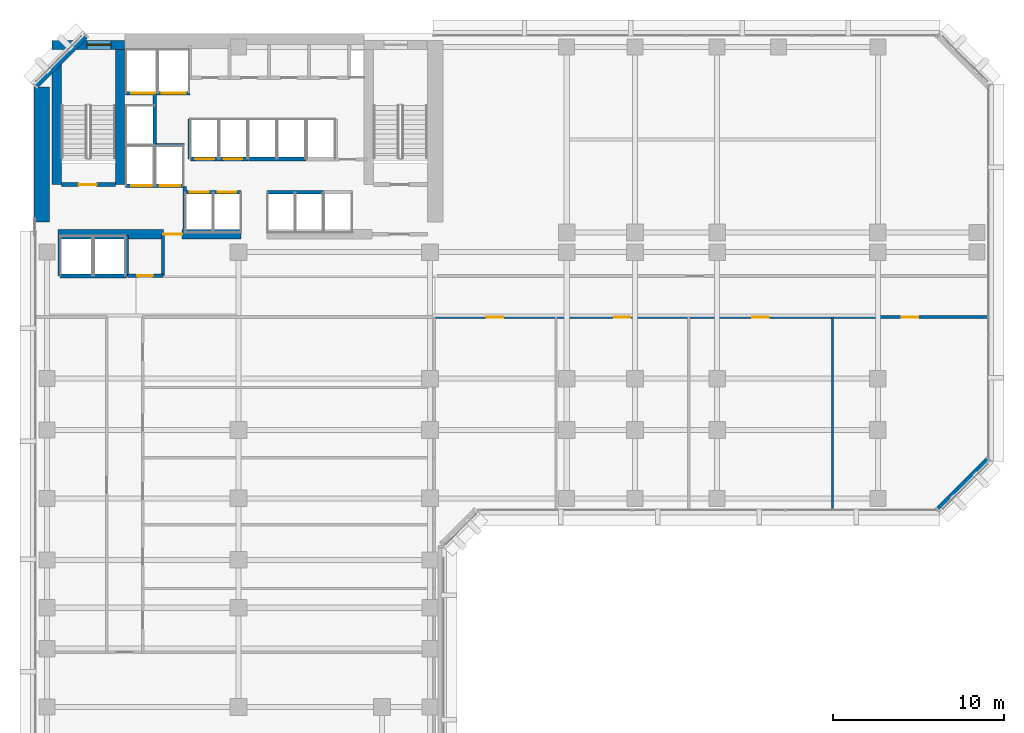
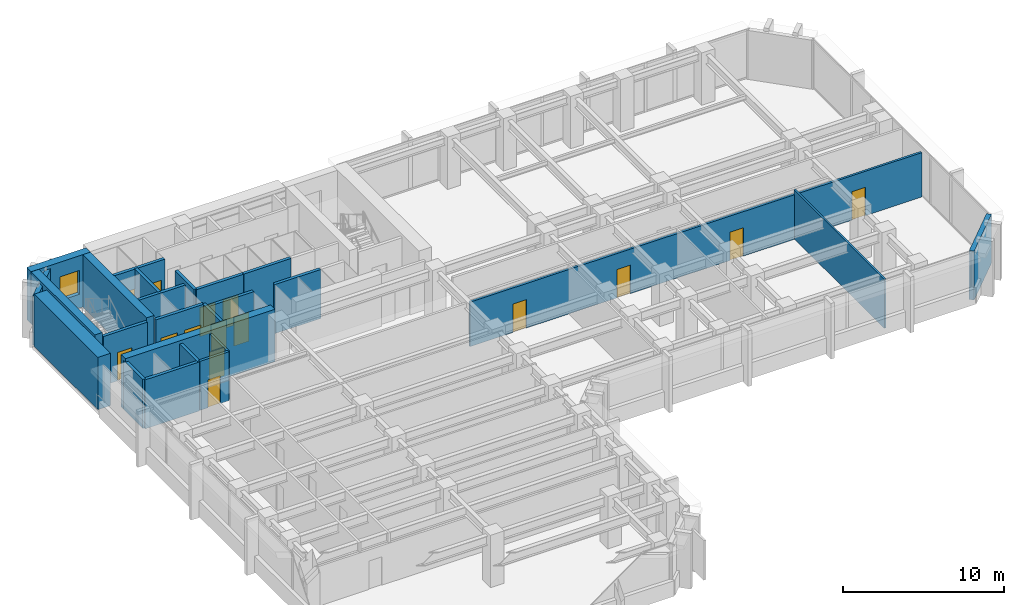
# One storey, part 7 of 13: 25 walls, 15 doors, 1 window, 16 openings.
"""IFC4 building model written with IfcOpenShell, lengths in metres."""

from ifc_helpers import new_model, si_unit, direction, frame, frame_2d, origin, place, context, subcontext, project, spatial, rectangle, extrude, material, layer, layer_set, type_object, element, fill, save


model = new_model("IFC4")

# Units and contexts
model_context = context("Model", 3, precision=1e-05, world=origin(), true_north=direction((0.0, 1.0)))
body_context = subcontext(model_context, "Body", "Model", "MODEL_VIEW")
ifc_project = project(units=[si_unit("LENGTHUNIT", "METRE"), si_unit("AREAUNIT", "SQUARE_METRE"), si_unit("VOLUMEUNIT", "CUBIC_METRE"), si_unit("PLANEANGLEUNIT", "RADIAN"), si_unit("MASSUNIT", "GRAM", prefix="KILO")], contexts=[model_context])

# Site, building, storey
site_placement = place(None, origin())
site = spatial("IfcSite", under=ifc_project, at=site_placement, CompositionType="ELEMENT")
building_placement = place(site_placement, origin())
building = spatial("IfcBuilding", under=site, at=building_placement, Name="Kefirva Bronze Tower", CompositionType="ELEMENT")
storey_placement = place(building_placement, frame((0.0, 0.0, 81.840087890625)))
storey = spatial("IfcBuildingStorey", under=building, at=storey_placement, Name="L19", CompositionType="ELEMENT", Elevation=81.840087890625)

# Wall
ifc_material_1 = material(Name="Gypsum acoustic partition")
ifc_layer_1 = layer(ifc_material_1, 0.1298828125, Name="Gypsum acoustic partition")
ifc_layer_set_1 = layer_set([ifc_layer_1], Name="Gypsum acoustic partition")
wall_type_1 = type_object("IfcWallType", Name="Acoustic Office Partition 130mm", PredefinedType="PARTITIONING", material=ifc_layer_set_1)
wall_1_placement = place(storey_placement, frame((46.749267578125, 18.18994140625, 0.0), z_axis=(0.0, 0.0, 1.0), x_axis=(0.0, 1.0, 0.0)))
element("IfcWall", 1, at=wall_1_placement, inside=storey, type_object=wall_type_1, Name="L19 Partition W-L19-ESD3", PredefinedType="PARTITIONING", context=body_context, shape_type="SweptSolid", body=[
    extrude(rectangle(XDim=11.2099609375, YDim=0.1298828125, at=frame_2d((5.60498046875, 0.0))), origin(), (0.0, 0.0, 1.0), 3.7099609375),
])

# Wall, opening, door
ifc_material_2 = material(Name="Gypsum fireboard shaftwall")
ifc_layer_2 = layer(ifc_material_2, 0.219970703125, Name="Gypsum fireboard shaftwall")
ifc_layer_set_2 = layer_set([ifc_layer_2], Name="Gypsum fireboard shaftwall")
wall_type_2 = type_object("IfcWallType", Name="Fire-Rated Shaft Enclosure Wall 220mm", PredefinedType="PARTITIONING", material=ifc_layer_set_2)
wall_2_placement = place(storey_placement, frame((1.64990234375, 37.14990234375, 0.0), z_axis=(0.0, 0.0, 1.0), x_axis=(1.0, 0.0, 0.0)))
wall_2 = element("IfcWall", 2, at=wall_2_placement, inside=storey, type_object=wall_type_2, Name="L19 Partition W-L19-ST1S", PredefinedType="PARTITIONING", context=body_context, shape_type="SweptSolid", body=[
    extrude(rectangle(XDim=3.150146484375, YDim=0.219970703125, at=frame_2d((1.5751953125, 0.0))), origin(), (0.0, 0.0, 1.0), 3.7099609375),
])
opening_1_placement = place(wall_2_placement, frame((2.050048828125, 0.0, 0.0), z_axis=(0.0, 0.0, 1.0), x_axis=(-1.0, 0.0, 0.0)))
opening_1 = element("IfcOpeningElement", 3, at=opening_1_placement, cuts=wall_2, Name="Opening L19-D001", PredefinedType="OPENING", context=body_context, shape_type="SweptSolid", body=[
    extrude(rectangle(XDim=1.050048828125, YDim=2.14990234375, at=frame_2d((0.52490234375, 1.074951171875))), frame((0.0, 0.1201171875, 0.0), z_axis=(0.0, -1.0, 0.0), x_axis=(1.0, 0.0, 0.0)), (0.0, 0.0, 1.0), 0.239990234375),
])
ifc_material_3 = material(Name="Painted galvanized steel", Category="steel")
door_type_1 = type_object("IfcDoorType", Name="Fire Stair Enclosure Door 1050x2150 FD90S", OperationType="NOTDEFINED", PredefinedType="DOOR", material=ifc_material_3)
door_1_placement = place(opening_1_placement, origin())
door_1 = element("IfcDoor", 4, at=door_1_placement, inside=storey, type_object=door_type_1, Name="Door L19-D001", OperationType="SINGLE_SWING_LEFT", OverallHeight=2.14990234375, OverallWidth=1.050048828125, PredefinedType="DOOR", context=body_context, shape_type="SweptSolid", body=[
    extrude(rectangle(XDim=1.050048828125, YDim=2.14990234375, at=frame_2d((0.52490234375, 1.074951171875))), frame((0.0, 0.02490234375, 0.0), z_axis=(0.0, -1.0, 0.0), x_axis=(1.0, 0.0, 0.0)), (0.0, 0.0, 1.0), 0.050048828125),
])
fill(opening_1, door_1)

# Wall, openings, doors
wall_3_placement = place(storey_placement, frame((5.3798828125, 37.080078125, 0.0), z_axis=(0.0, 0.0, 1.0), x_axis=(1.0, 0.0, 0.0)))
wall_3 = element("IfcWall", 5, at=wall_3_placement, inside=storey, type_object=wall_type_2, Name="L19 Partition W-L19-FFS", PredefinedType="PARTITIONING", context=body_context, shape_type="SweptSolid", body=[
    extrude(rectangle(XDim=3.460205078125, YDim=0.219970703125, at=frame_2d((1.72998046875, 0.0))), origin(), (0.0, 0.0, 1.0), 3.7099609375),
])
opening_2_placement = place(wall_3_placement, frame((1.550048828125, 0.0, 0.0), z_axis=(0.0, 0.0, 1.0), x_axis=(-1.0, 0.0, 0.0)))
opening_2 = element("IfcOpeningElement", 6, at=opening_2_placement, cuts=wall_3, Name="Opening L19-LD-FF1", PredefinedType="OPENING", context=body_context, shape_type="SweptSolid", body=[
    extrude(rectangle(XDim=1.199951171875, YDim=2.199951171875, at=frame_2d((0.60009765625, 1.10009765625))), frame((0.0, 0.1201171875, 0.0), z_axis=(0.0, -1.0, 0.0), x_axis=(1.0, 0.0, 0.0)), (0.0, 0.0, 1.0), 0.239990234375),
])
opening_3_placement = place(wall_3_placement, frame((3.219970703125, 0.0, 0.0), z_axis=(0.0, 0.0, 1.0), x_axis=(-1.0, 0.0, 0.0)))
opening_3 = element("IfcOpeningElement", 7, at=opening_3_placement, cuts=wall_3, Name="Opening L19-LD-FF2", PredefinedType="OPENING", context=body_context, shape_type="SweptSolid", body=[
    extrude(rectangle(XDim=1.199951171875, YDim=2.199951171875, at=frame_2d((0.60009765625, 1.10009765625))), frame((0.0, 0.1201171875, 0.0), z_axis=(0.0, -1.0, 0.0), x_axis=(1.0, 0.0, 0.0)), (0.0, 0.0, 1.0), 0.239990234375),
])
ifc_material_4 = material(Name="Stainless steel 316", Category="steel")
door_type_2 = type_object("IfcDoorType", Name="Firefighting Lift Sliding Door 1200x2200", OperationType="SLIDING_TO_RIGHT", PredefinedType="DOOR", material=ifc_material_4)
door_2_placement = place(opening_2_placement, origin())
door_2 = element("IfcDoor", 8, at=door_2_placement, inside=storey, type_object=door_type_2, Name="Door L19-LD-FF1", OperationType="SLIDING_TO_RIGHT", OverallHeight=2.199951171875, OverallWidth=1.199951171875, PredefinedType="DOOR", context=body_context, shape_type="SweptSolid", body=[
    extrude(rectangle(XDim=1.199951171875, YDim=2.199951171875, at=frame_2d((0.60009765625, 1.10009765625))), frame((0.0, 0.02490234375, 0.0), z_axis=(0.0, -1.0, 0.0), x_axis=(1.0, 0.0, 0.0)), (0.0, 0.0, 1.0), 0.050048828125),
])
fill(opening_2, door_2)
door_3_placement = place(opening_3_placement, origin())
door_3 = element("IfcDoor", 9, at=door_3_placement, inside=storey, type_object=door_type_2, Name="Door L19-LD-FF2", OperationType="SLIDING_TO_RIGHT", OverallHeight=2.199951171875, OverallWidth=1.199951171875, PredefinedType="DOOR", context=body_context, shape_type="SweptSolid", body=[
    extrude(rectangle(XDim=1.199951171875, YDim=2.199951171875, at=frame_2d((0.60009765625, 1.10009765625))), frame((0.0, 0.02490234375, 0.0), z_axis=(0.0, -1.0, 0.0), x_axis=(1.0, 0.0, 0.0)), (0.0, 0.0, 1.0), 0.050048828125),
])
fill(opening_3, door_3)

# Wall
wall_4_placement = place(storey_placement, frame((5.3798828125, 39.449951171875, 0.0), z_axis=(0.0, 0.0, 1.0), x_axis=(1.0, 0.0, 0.0)))
element("IfcWall", 10, at=wall_4_placement, inside=storey, type_object=wall_type_2, Name="L19 Partition W-L19-FFN", PredefinedType="PARTITIONING", context=body_context, shape_type="SweptSolid", body=[
    extrude(rectangle(XDim=3.460205078125, YDim=0.219970703125, at=frame_2d((1.72998046875, 0.0))), origin(), (0.0, 0.0, 1.0), 3.7099609375),
])

# Wall, openings, doors
wall_5_placement = place(storey_placement, frame((5.3798828125, 42.5, 0.0), z_axis=(0.0, 0.0, 1.0), x_axis=(1.0, 0.0, 0.0)))
wall_5 = element("IfcWall", 11, at=wall_5_placement, inside=storey, type_object=wall_type_2, Name="L19 Partition W-L19-SVS", PredefinedType="PARTITIONING", context=body_context, shape_type="SweptSolid", body=[
    extrude(rectangle(XDim=3.77001953125, YDim=0.219970703125, at=frame_2d((1.885009765625, 0.0))), origin(), (0.0, 0.0, 1.0), 3.7099609375),
])
opening_4_placement = place(wall_5_placement, frame((1.75, 0.0, 0.0), z_axis=(0.0, 0.0, 1.0), x_axis=(-1.0, 0.0, 0.0)))
opening_4 = element("IfcOpeningElement", 12, at=opening_4_placement, cuts=wall_5, Name="Opening L19-LD-SV1", PredefinedType="OPENING", context=body_context, shape_type="SweptSolid", body=[
    extrude(rectangle(XDim=1.39990234375, YDim=2.199951171875, at=frame_2d((0.699951171875, 1.10009765625))), frame((0.0, 0.1201171875, 0.0), z_axis=(0.0, -1.0, 0.0), x_axis=(1.0, 0.0, 0.0)), (0.0, 0.0, 1.0), 0.239990234375),
])
opening_5_placement = place(wall_5_placement, frame((3.52978515625, 0.0, 0.0), z_axis=(0.0, 0.0, 1.0), x_axis=(-1.0, 0.0, 0.0)))
opening_5 = element("IfcOpeningElement", 13, at=opening_5_placement, cuts=wall_5, Name="Opening L19-LD-SV2", PredefinedType="OPENING", context=body_context, shape_type="SweptSolid", body=[
    extrude(rectangle(XDim=1.39990234375, YDim=2.199951171875, at=frame_2d((0.699951171875, 1.10009765625))), frame((0.0, 0.1201171875, 0.0), z_axis=(0.0, -1.0, 0.0), x_axis=(1.0, 0.0, 0.0)), (0.0, 0.0, 1.0), 0.239990234375),
])
door_type_3 = type_object("IfcDoorType", Name="Goods Lift Bi-Parting Sliding Door 1400x2200", OperationType="SLIDING_TO_LEFT", PredefinedType="DOOR", material=ifc_material_4)
door_4_placement = place(opening_4_placement, origin())
door_4 = element("IfcDoor", 14, at=door_4_placement, inside=storey, type_object=door_type_3, Name="Door L19-LD-SV1", OperationType="SLIDING_TO_LEFT", OverallHeight=2.199951171875, OverallWidth=1.39990234375, PredefinedType="DOOR", context=body_context, shape_type="SweptSolid", body=[
    extrude(rectangle(XDim=1.39990234375, YDim=2.199951171875, at=frame_2d((0.699951171875, 1.10009765625))), frame((0.0, 0.02490234375, 0.0), z_axis=(0.0, -1.0, 0.0), x_axis=(1.0, 0.0, 0.0)), (0.0, 0.0, 1.0), 0.050048828125),
])
fill(opening_4, door_4)
door_5_placement = place(opening_5_placement, origin())
door_5 = element("IfcDoor", 15, at=door_5_placement, inside=storey, type_object=door_type_3, Name="Door L19-LD-SV2", OperationType="SLIDING_TO_LEFT", OverallHeight=2.199951171875, OverallWidth=1.39990234375, PredefinedType="DOOR", context=body_context, shape_type="SweptSolid", body=[
    extrude(rectangle(XDim=1.39990234375, YDim=2.199951171875, at=frame_2d((0.699951171875, 1.10009765625))), frame((0.0, 0.02490234375, 0.0), z_axis=(0.0, -1.0, 0.0), x_axis=(1.0, 0.0, 0.0)), (0.0, 0.0, 1.0), 0.050048828125),
])
fill(opening_5, door_5)

# Walls
wall_6_placement = place(storey_placement, frame((7.10009765625, 39.52001953125, 0.0), z_axis=(0.0, 0.0, 1.0), x_axis=(0.0, 1.0, 0.0)))
element("IfcWall", 16, at=wall_6_placement, inside=storey, type_object=wall_type_2, Name="L19 Partition W-L19-HP3E", PredefinedType="PARTITIONING", context=body_context, shape_type="SweptSolid", body=[
    extrude(rectangle(XDim=2.929931640625, YDim=0.219970703125, at=frame_2d((1.46484375, 0.0))), origin(), (0.0, 0.0, 1.0), 3.7099609375),
])
wall_7_placement = place(storey_placement, frame((1.550048828125, 31.800048828125, 0.0), z_axis=(0.0, 0.0, 1.0), x_axis=(1.0, 0.0, 0.0)))
element("IfcWall", 17, at=wall_7_placement, inside=storey, type_object=wall_type_2, Name="L19 Partition W-L19-OBS", PredefinedType="PARTITIONING", context=body_context, shape_type="SweptSolid", body=[
    extrude(rectangle(XDim=3.89990234375, YDim=0.219970703125, at=frame_2d((1.949951171875, 0.0))), origin(), (0.0, 0.0, 1.0), 3.7099609375),
])
for number, where, z_axis, x_axis, name in (
    (18, (1.550048828125, 31.800048828125, 0.0), (0.0, 0.0, 1.0), (0.0, 1.0, 0.0), "L19 Partition W-L19-OBW"),
    (19, (5.449951171875, 31.800048828125, 0.0), (0.0, 0.0, 1.0), (0.0, 1.0, 0.0), "L19 Partition W-L19-OBE"),
):
    element("IfcWall", number, at=place(storey_placement, frame(where, z_axis=z_axis, x_axis=x_axis)), inside=storey, type_object=wall_type_2, Name=name, PredefinedType="PARTITIONING", context=body_context, shape_type="SweptSolid", body=[
        extrude(rectangle(XDim=2.3798828125, YDim=0.219970703125, at=frame_2d((1.18994140625, 0.0))), origin(), (0.0, 0.0, 1.0), 3.7099609375),
    ])
wall_8_placement = place(storey_placement, frame((9.159912109375, 38.64990234375, 0.0), z_axis=(0.0, 0.0, 1.0), x_axis=(0.0, 1.0, 0.0)))
element("IfcWall", 20, at=wall_8_placement, inside=storey, type_object=wall_type_2, Name="L19 Partition W-L19-LP3W", PredefinedType="PARTITIONING", context=body_context, shape_type="SweptSolid", body=[
    extrude(rectangle(XDim=2.35009765625, YDim=0.199951171875, at=frame_2d((1.175048828125, 0.0))), origin(), (0.0, 0.0, 1.0), 3.7099609375),
])

# Wall, openings, doors
wall_9_placement = place(storey_placement, frame((8.89990234375, 36.699951171875, 0.0), z_axis=(0.0, 0.0, 1.0), x_axis=(1.0, 0.0, 0.0)))
wall_9 = element("IfcWall", 21, at=wall_9_placement, inside=storey, type_object=wall_type_2, Name="L19 Partition W-L19-LPS", PredefinedType="PARTITIONING", context=body_context, shape_type="SweptSolid", body=[
    extrude(rectangle(XDim=3.260009765625, YDim=0.219970703125, at=frame_2d((1.6298828125, 0.0))), origin(), (0.0, 0.0, 1.0), 3.7099609375),
])
opening_6_placement = place(wall_9_placement, frame((0.260009765625, 0.0, 0.0)))
opening_6 = element("IfcOpeningElement", 22, at=opening_6_placement, cuts=wall_9, Name="Opening L19-LD-LP1", PredefinedType="OPENING", context=body_context, shape_type="SweptSolid", body=[
    extrude(rectangle(XDim=1.10009765625, YDim=2.199951171875, at=frame_2d((0.550048828125, 1.10009765625))), frame((0.0, 0.1201171875, 0.0), z_axis=(0.0, -1.0, 0.0), x_axis=(1.0, 0.0, 0.0)), (0.0, 0.0, 1.0), 0.239990234375),
])
opening_7_placement = place(wall_9_placement, frame((1.8798828125, 0.0, 0.0)))
opening_7 = element("IfcOpeningElement", 23, at=opening_7_placement, cuts=wall_9, Name="Opening L19-LD-LP2", PredefinedType="OPENING", context=body_context, shape_type="SweptSolid", body=[
    extrude(rectangle(XDim=1.10009765625, YDim=2.199951171875, at=frame_2d((0.550048828125, 1.10009765625))), frame((0.0, 0.1201171875, 0.0), z_axis=(0.0, -1.0, 0.0), x_axis=(1.0, 0.0, 0.0)), (0.0, 0.0, 1.0), 0.239990234375),
])
door_type_4 = type_object("IfcDoorType", Name="Passenger Lift Sliding Landing Door 1100x2200", OperationType="SLIDING_TO_LEFT", PredefinedType="DOOR", material=ifc_material_4)
door_6_placement = place(opening_6_placement, origin())
door_6 = element("IfcDoor", 24, at=door_6_placement, inside=storey, type_object=door_type_4, Name="Door L19-LD-LP1", OperationType="SLIDING_TO_LEFT", OverallHeight=2.199951171875, OverallWidth=1.10009765625, PredefinedType="DOOR", context=body_context, shape_type="SweptSolid", body=[
    extrude(rectangle(XDim=1.10009765625, YDim=2.199951171875, at=frame_2d((0.550048828125, 1.10009765625))), frame((0.0, 0.02490234375, 0.0), z_axis=(0.0, -1.0, 0.0), x_axis=(1.0, 0.0, 0.0)), (0.0, 0.0, 1.0), 0.050048828125),
])
fill(opening_6, door_6)
door_7_placement = place(opening_7_placement, origin())
door_7 = element("IfcDoor", 25, at=door_7_placement, inside=storey, type_object=door_type_4, Name="Door L19-LD-LP2", OperationType="SLIDING_TO_LEFT", OverallHeight=2.199951171875, OverallWidth=1.10009765625, PredefinedType="DOOR", context=body_context, shape_type="SweptSolid", body=[
    extrude(rectangle(XDim=1.10009765625, YDim=2.199951171875, at=frame_2d((0.550048828125, 1.10009765625))), frame((0.0, 0.02490234375, 0.0), z_axis=(0.0, -1.0, 0.0), x_axis=(1.0, 0.0, 0.0)), (0.0, 0.0, 1.0), 0.050048828125),
])
fill(opening_7, door_7)

wall_10_placement = place(storey_placement, frame((9.179931640625, 38.64990234375, 0.0), z_axis=(0.0, 0.0, 1.0), x_axis=(1.0, 0.0, 0.0)))
wall_10 = element("IfcWall", 26, at=wall_10_placement, inside=storey, type_object=wall_type_2, Name="L19 Partition W-L19-LPN", PredefinedType="PARTITIONING", context=body_context, shape_type="SweptSolid", body=[
    extrude(rectangle(XDim=3.380126953125, YDim=0.219970703125, at=frame_2d((1.68994140625, 0.0))), origin(), (0.0, 0.0, 1.0), 3.7099609375),
])
opening_8_placement = place(wall_10_placement, frame((0.300048828125, 0.0, 0.0)))
opening_8 = element("IfcOpeningElement", 27, at=opening_8_placement, cuts=wall_10, Name="Opening L19-LD-LP3", PredefinedType="OPENING", context=body_context, shape_type="SweptSolid", body=[
    extrude(rectangle(XDim=1.10009765625, YDim=2.199951171875, at=frame_2d((0.550048828125, 1.10009765625))), frame((0.0, 0.1201171875, 0.0), z_axis=(0.0, -1.0, 0.0), x_axis=(1.0, 0.0, 0.0)), (0.0, 0.0, 1.0), 0.239990234375),
])
opening_9_placement = place(wall_10_placement, frame((1.949951171875, 0.0, 0.0)))
opening_9 = element("IfcOpeningElement", 28, at=opening_9_placement, cuts=wall_10, Name="Opening L19-LD-LP4", PredefinedType="OPENING", context=body_context, shape_type="SweptSolid", body=[
    extrude(rectangle(XDim=1.10009765625, YDim=2.199951171875, at=frame_2d((0.550048828125, 1.10009765625))), frame((0.0, 0.1201171875, 0.0), z_axis=(0.0, -1.0, 0.0), x_axis=(1.0, 0.0, 0.0)), (0.0, 0.0, 1.0), 0.239990234375),
])
door_8_placement = place(opening_8_placement, origin())
door_8 = element("IfcDoor", 29, at=door_8_placement, inside=storey, type_object=door_type_4, Name="Door L19-LD-LP3", OperationType="SLIDING_TO_LEFT", OverallHeight=2.199951171875, OverallWidth=1.10009765625, PredefinedType="DOOR", context=body_context, shape_type="SweptSolid", body=[
    extrude(rectangle(XDim=1.10009765625, YDim=2.199951171875, at=frame_2d((0.550048828125, 1.10009765625))), frame((0.0, 0.02490234375, 0.0), z_axis=(0.0, -1.0, 0.0), x_axis=(1.0, 0.0, 0.0)), (0.0, 0.0, 1.0), 0.050048828125),
])
fill(opening_8, door_8)
door_9_placement = place(opening_9_placement, origin())
door_9 = element("IfcDoor", 30, at=door_9_placement, inside=storey, type_object=door_type_4, Name="Door L19-LD-LP4", OperationType="SLIDING_TO_LEFT", OverallHeight=2.199951171875, OverallWidth=1.10009765625, PredefinedType="DOOR", context=body_context, shape_type="SweptSolid", body=[
    extrude(rectangle(XDim=1.10009765625, YDim=2.199951171875, at=frame_2d((0.550048828125, 1.10009765625))), frame((0.0, 0.02490234375, 0.0), z_axis=(0.0, -1.0, 0.0), x_axis=(1.0, 0.0, 0.0)), (0.0, 0.0, 1.0), 0.050048828125),
])
fill(opening_9, door_9)

# Walls
wall_11_placement = place(storey_placement, frame((13.679931640625, 36.699951171875, 0.0), z_axis=(0.0, 0.0, 1.0), x_axis=(1.0, 0.0, 0.0)))
element("IfcWall", 31, at=wall_11_placement, inside=storey, type_object=wall_type_2, Name="L19 Partition W-L19-MPS", PredefinedType="PARTITIONING", context=body_context, shape_type="SweptSolid", body=[
    extrude(rectangle(XDim=3.280029296875, YDim=0.219970703125, at=frame_2d((1.64013671875, 0.0))), origin(), (0.0, 0.0, 1.0), 3.7099609375),
])
wall_12_placement = place(storey_placement, frame((12.580078125, 38.64990234375, 0.0), z_axis=(0.0, 0.0, 1.0), x_axis=(1.0, 0.0, 0.0)))
element("IfcWall", 32, at=wall_12_placement, inside=storey, type_object=wall_type_2, Name="L19 Partition W-L19-MPN", PredefinedType="PARTITIONING", context=body_context, shape_type="SweptSolid", body=[
    extrude(rectangle(XDim=3.3798828125, YDim=0.219970703125, at=frame_2d((1.68994140625, 0.0))), origin(), (0.0, 0.0, 1.0), 3.7099609375),
])
ifc_material_5 = material(Name="Gypsum fireboard barrier")
ifc_layer_3 = layer(ifc_material_5, 0.199951171875, Name="Gypsum fireboard barrier")
ifc_layer_set_3 = layer_set([ifc_layer_3], Name="Gypsum fireboard barrier")
wall_type_3 = type_object("IfcWallType", Name="Firefighting Lobby Barrier Wall 200mm", PredefinedType="PARTITIONING", material=ifc_layer_set_3)
wall_13_placement = place(storey_placement, frame((8.860107421875, 34.550048828125, 0.0), z_axis=(0.0, 0.0, 1.0), x_axis=(0.0, 1.0, 0.0)))
element("IfcWall", 33, at=wall_13_placement, inside=storey, type_object=wall_type_3, Name="L19 Partition W-L19-FFLE", PredefinedType="PARTITIONING", context=body_context, shape_type="SweptSolid", body=[
    extrude(rectangle(XDim=2.5, YDim=0.199951171875, at=frame_2d((1.25, 0.0))), origin(), (0.0, 0.0, 1.0), 3.7099609375),
])
ifc_material_6 = material(Name="Precast concrete C40/50", Category="concrete")
ifc_layer_4 = layer(ifc_material_6, 0.320068359375, Name="Precast concrete C40/50")
ifc_layer_set_4 = layer_set([ifc_layer_4], Name="Precast concrete C40/50")
wall_type_4 = type_object("IfcWallType", Name="Precast Insulated Exterior Wall 320mm", PredefinedType="SOLIDWALL", material=ifc_layer_set_4)
for number, where, z_axis, x_axis, name in (
    (34, (52.92578125, 18.152099609375, 0.0), (0.0, 0.0, 1.0), (0.707106781187, 0.707106781187, 0.0), "L19 Exterior Facade Wall 4"),
    (35, (3.07421875, 45.847900390625, 0.0), (0.0, 0.0, 1.0), (-0.707106781187, -0.707106781187, 0.0), "L19 Exterior Facade Wall 6"),
):
    element("IfcWall", number, at=place(storey_placement, frame(where, z_axis=z_axis, x_axis=x_axis)), inside=storey, type_object=wall_type_4, Name=name, PredefinedType="SOLIDWALL", context=body_context, shape_type="SweptSolid", body=[
        extrude(rectangle(XDim=4.132568359375, YDim=0.320068359375, at=frame_2d((2.06640625, 0.0))), origin(), (0.0, 0.0, 1.0), 3.7099609375),
    ])

# Wall, openings, doors
ifc_layer_5 = layer(ifc_material_1, 0.159912109375, Name="Gypsum acoustic partition")
ifc_layer_set_5 = layer_set([ifc_layer_5], Name="Gypsum acoustic partition")
wall_type_5 = type_object("IfcWallType", Name="Protected Corridor Partition 160mm", PredefinedType="PARTITIONING", material=ifc_layer_set_5)
wall_14_placement = place(storey_placement, frame((23.449951171875, 29.39990234375, 0.0), z_axis=(0.0, 0.0, 1.0), x_axis=(1.0, 0.0, 0.0)))
wall_14 = element("IfcWall", 36, at=wall_14_placement, inside=storey, type_object=wall_type_5, Name="L19 Partition W-L19-EWS", PredefinedType="PARTITIONING", context=body_context, shape_type="SweptSolid", body=[
    extrude(rectangle(XDim=32.360107421875, YDim=0.159912109375, at=frame_2d((16.18017578125, 0.0))), origin(), (0.0, 0.0, 1.0), 3.364990234375),
])
opening_10_placement = place(wall_14_placement, frame((4.03466796875, 0.0, 0.0), z_axis=(0.0, 0.0, 1.0), x_axis=(-1.0, 0.0, 0.0)))
opening_10 = element("IfcOpeningElement", 37, at=opening_10_placement, cuts=wall_14, Name="Opening L19-D-ES1", PredefinedType="OPENING", context=body_context, shape_type="SweptSolid", body=[
    extrude(rectangle(XDim=0.949951171875, YDim=2.14990234375, at=frame_2d((0.47509765625, 1.074951171875))), frame((0.0, 0.08984375, 0.0), z_axis=(0.0, -1.0, 0.0), x_axis=(1.0, 0.0, 0.0)), (0.0, 0.0, 1.0), 0.179931640625),
])
opening_11_placement = place(wall_14_placement, frame((11.477294921875, 0.0, 0.0), z_axis=(0.0, 0.0, 1.0), x_axis=(-1.0, 0.0, 0.0)))
opening_11 = element("IfcOpeningElement", 38, at=opening_11_placement, cuts=wall_14, Name="Opening L19-D-ES2", PredefinedType="OPENING", context=body_context, shape_type="SweptSolid", body=[
    extrude(rectangle(XDim=0.949951171875, YDim=2.14990234375, at=frame_2d((0.47509765625, 1.074951171875))), frame((0.0, 0.08984375, 0.0), z_axis=(0.0, -1.0, 0.0), x_axis=(1.0, 0.0, 0.0)), (0.0, 0.0, 1.0), 0.179931640625),
])
opening_12_placement = place(wall_14_placement, frame((19.5673828125, 0.0, 0.0), z_axis=(0.0, 0.0, 1.0), x_axis=(-1.0, 0.0, 0.0)))
opening_12 = element("IfcOpeningElement", 39, at=opening_12_placement, cuts=wall_14, Name="Opening L19-D-ES3", PredefinedType="OPENING", context=body_context, shape_type="SweptSolid", body=[
    extrude(rectangle(XDim=0.949951171875, YDim=2.14990234375, at=frame_2d((0.47509765625, 1.074951171875))), frame((0.0, 0.08984375, 0.0), z_axis=(0.0, -1.0, 0.0), x_axis=(1.0, 0.0, 0.0)), (0.0, 0.0, 1.0), 0.179931640625),
])
opening_13_placement = place(wall_14_placement, frame((28.304443359375, 0.0, 0.0), z_axis=(0.0, 0.0, 1.0), x_axis=(-1.0, 0.0, 0.0)))
opening_13 = element("IfcOpeningElement", 40, at=opening_13_placement, cuts=wall_14, Name="Opening L19-D-ES4", PredefinedType="OPENING", context=body_context, shape_type="SweptSolid", body=[
    extrude(rectangle(XDim=0.949951171875, YDim=2.14990234375, at=frame_2d((0.47509765625, 1.074951171875))), frame((0.0, 0.08984375, 0.0), z_axis=(0.0, -1.0, 0.0), x_axis=(1.0, 0.0, 0.0)), (0.0, 0.0, 1.0), 0.179931640625),
])
ifc_material_7 = material(Name="Acoustic hardwood oak", Category="wood")
door_type_5 = type_object("IfcDoorType", Name="Office & Meeting Room Door 950x2150", OperationType="NOTDEFINED", PredefinedType="DOOR", material=ifc_material_7)
door_10_placement = place(opening_10_placement, origin())
door_10 = element("IfcDoor", 41, at=door_10_placement, inside=storey, type_object=door_type_5, Name="Door L19-D-ES1", OperationType="SINGLE_SWING_RIGHT", OverallHeight=2.14990234375, OverallWidth=0.949951171875, PredefinedType="DOOR", context=body_context, shape_type="SweptSolid", body=[
    extrude(rectangle(XDim=0.949951171875, YDim=2.14990234375, at=frame_2d((0.47509765625, 1.074951171875))), frame((0.0, 0.02490234375, 0.0), z_axis=(0.0, -1.0, 0.0), x_axis=(1.0, 0.0, 0.0)), (0.0, 0.0, 1.0), 0.050048828125),
])
fill(opening_10, door_10)
door_11_placement = place(opening_11_placement, origin())
door_11 = element("IfcDoor", 42, at=door_11_placement, inside=storey, type_object=door_type_5, Name="Door L19-D-ES2", OperationType="SINGLE_SWING_LEFT", OverallHeight=2.14990234375, OverallWidth=0.949951171875, PredefinedType="DOOR", context=body_context, shape_type="SweptSolid", body=[
    extrude(rectangle(XDim=0.949951171875, YDim=2.14990234375, at=frame_2d((0.47509765625, 1.074951171875))), frame((0.0, 0.02490234375, 0.0), z_axis=(0.0, -1.0, 0.0), x_axis=(1.0, 0.0, 0.0)), (0.0, 0.0, 1.0), 0.050048828125),
])
fill(opening_11, door_11)
door_12_placement = place(opening_12_placement, origin())
door_12 = element("IfcDoor", 43, at=door_12_placement, inside=storey, type_object=door_type_5, Name="Door L19-D-ES3", OperationType="SINGLE_SWING_RIGHT", OverallHeight=2.14990234375, OverallWidth=0.949951171875, PredefinedType="DOOR", context=body_context, shape_type="SweptSolid", body=[
    extrude(rectangle(XDim=0.949951171875, YDim=2.14990234375, at=frame_2d((0.47509765625, 1.074951171875))), frame((0.0, 0.02490234375, 0.0), z_axis=(0.0, -1.0, 0.0), x_axis=(1.0, 0.0, 0.0)), (0.0, 0.0, 1.0), 0.050048828125),
])
fill(opening_12, door_12)
door_13_placement = place(opening_13_placement, origin())
door_13 = element("IfcDoor", 44, at=door_13_placement, inside=storey, type_object=door_type_5, Name="Door L19-D-ES4", OperationType="SINGLE_SWING_LEFT", OverallHeight=2.14990234375, OverallWidth=0.949951171875, PredefinedType="DOOR", context=body_context, shape_type="SweptSolid", body=[
    extrude(rectangle(XDim=0.949951171875, YDim=2.14990234375, at=frame_2d((0.47509765625, 1.074951171875))), frame((0.0, 0.02490234375, 0.0), z_axis=(0.0, -1.0, 0.0), x_axis=(1.0, 0.0, 0.0)), (0.0, 0.0, 1.0), 0.050048828125),
])
fill(opening_13, door_13)

# Wall, opening, window
ifc_material_8 = material(Name="Concrete C50/60", Category="concrete")
ifc_layer_6 = layer(ifc_material_8, 0.550048828125, Name="Concrete C50/60")
ifc_layer_set_6 = layer_set([ifc_layer_6], Name="Concrete C50/60")
wall_type_6 = type_object("IfcWallType", Name="RC Rear Core Exterior Wall 550mm", PredefinedType="SHEAR", material=ifc_layer_set_6)
wall_15_placement = place(storey_placement, frame((1.10009765625, 45.320068359375, 0.0), z_axis=(0.0, 0.0, 1.0), x_axis=(1.0, 0.0, 0.0)))
wall_15 = element("IfcWall", 45, at=wall_15_placement, inside=storey, type_object=wall_type_6, Name="L19 Stair 1 North Shear Wall", PredefinedType="SHEAR", context=body_context, shape_type="SweptSolid", body=[
    extrude(rectangle(XDim=4.239990234375, YDim=0.550048828125, at=frame_2d((2.1201171875, 0.0))), origin(), (0.0, 0.0, 1.0), 3.9599609375),
])
opening_14_placement = place(wall_15_placement, frame((2.050048828125, 0.0, 1.050048828125)))
opening_14 = element("IfcOpeningElement", 46, at=opening_14_placement, cuts=wall_15, Name="Opening WN-03", PredefinedType="OPENING", context=body_context, shape_type="SweptSolid", body=[
    extrude(rectangle(XDim=1.39990234375, YDim=1.800048828125, at=frame_2d((0.699951171875, 0.89990234375))), frame((0.0, 0.28515625, 0.0), z_axis=(0.0, -1.0, 0.0), x_axis=(1.0, 0.0, 0.0)), (0.0, 0.0, 1.0), 0.570068359375),
])
ifc_material_9 = material(Name="Laminated low-E double glazing", Category="glass")
window_type = type_object("IfcWindowType", Name="Rear-Core Stair Daylight Window 1400x1800", PartitioningType="SINGLE_PANEL", PredefinedType="WINDOW", material=ifc_material_9)
window_placement = place(opening_14_placement, origin())
window = element("IfcWindow", 47, at=window_placement, inside=storey, type_object=window_type, Name="L19 Stair 1 Daylight Window", OverallHeight=1.800048828125, OverallWidth=1.39990234375, PartitioningType="SINGLE_PANEL", PredefinedType="WINDOW", context=body_context, shape_type="SweptSolid", body=[
    extrude(rectangle(XDim=1.39990234375, YDim=1.800048828125, at=frame_2d((0.699951171875, 0.89990234375))), frame((0.0, 0.030029296875, 0.0), z_axis=(0.0, -1.0, 0.0), x_axis=(1.0, 0.0, 0.0)), (0.0, 0.0, 1.0), 0.06005859375),
])
fill(opening_14, window)

# Walls
ifc_material_10 = material(Name="Concrete C60/75", Category="concrete")
ifc_layer_7 = layer(ifc_material_10, 0.89990234375, Name="Concrete C60/75")
ifc_layer_set_7 = layer_set([ifc_layer_7], Name="Concrete C60/75")
wall_type_7 = type_object("IfcWallType", Name="RC Rear Core Exterior Wall 900mm", PredefinedType="SHEAR", material=ifc_layer_set_7)
wall_16_placement = place(storey_placement, frame((0.5, 34.949951171875, 0.0), z_axis=(0.0, 0.0, 1.0), x_axis=(0.0, 1.0, 0.0)))
element("IfcWall", 48, at=wall_16_placement, inside=storey, type_object=wall_type_7, Name="L19 Rear Core West Shear Wall", PredefinedType="SHEAR", context=body_context, shape_type="SweptSolid", body=[
    extrude(rectangle(XDim=7.900146484375, YDim=0.89990234375, at=frame_2d((3.9501953125, 0.0))), origin(), (0.0, 0.0, 1.0), 3.9599609375),
])
ifc_layer_8 = layer(ifc_material_8, 0.550048828125, Name="Concrete C50/60")
ifc_layer_set_8 = layer_set([ifc_layer_8], Name="Concrete C50/60")
wall_type_8 = type_object("IfcWallType", Name="RC Rear Core Interior Wall 550mm", PredefinedType="SHEAR", material=ifc_layer_set_8)
for number, where, z_axis, x_axis, name in (
    (49, (1.3701171875, 37.14990234375, 0.0), (0.0, 0.0, 1.0), (0.0, 1.0, 0.0), "L19 Stair 1 West Shear Wall"),
    (50, (5.070068359375, 37.14990234375, 0.0), (0.0, 0.0, 1.0), (0.0, 1.0, 0.0), "L19 Stair 1 East Shear Wall"),
):
    element("IfcWall", number, at=place(storey_placement, frame(where, z_axis=z_axis, x_axis=x_axis)), inside=storey, type_object=wall_type_8, Name=name, PredefinedType="SHEAR", context=body_context, shape_type="SweptSolid", body=[
        extrude(rectangle(XDim=7.89013671875, YDim=0.550048828125, at=frame_2d((3.945068359375, 0.0))), origin(), (0.0, 0.0, 1.0), 3.9599609375),
    ])

# Wall, opening, door
ifc_layer_9 = layer(ifc_material_10, 0.89990234375, Name="Concrete C60/75")
ifc_layer_set_9 = layer_set([ifc_layer_9], Name="Concrete C60/75")
wall_type_9 = type_object("IfcWallType", Name="RC Rear Core Interior Wall 900mm", PredefinedType="SHEAR", material=ifc_layer_set_9)
wall_17_placement = place(storey_placement, frame((1.449951171875, 34.25, 0.0), z_axis=(0.0, 0.0, 1.0), x_axis=(1.0, 0.0, 0.0)))
wall_17 = element("IfcWall", 51, at=wall_17_placement, inside=storey, type_object=wall_type_9, Name="L19 Rear Core South-West Shear Wall", PredefinedType="SHEAR", context=body_context, shape_type="SweptSolid", body=[
    extrude(rectangle(XDim=10.7099609375, YDim=0.550048828125, at=frame_2d((5.35498046875, 0.0))), origin(), (0.0, 0.0, 1.0), 3.9599609375),
])
opening_15_placement = place(wall_17_placement, frame((7.25, 0.0, 0.0), z_axis=(0.0, 0.0, 1.0), x_axis=(-1.0, 0.0, 0.0)))
opening_15 = element("IfcOpeningElement", 52, at=opening_15_placement, cuts=wall_17, Name="Opening L19-D002", PredefinedType="OPENING", context=body_context, shape_type="SweptSolid", body=[
    extrude(rectangle(XDim=1.10009765625, YDim=2.14990234375, at=frame_2d((0.550048828125, 1.074951171875))), frame((0.0, 0.28515625, 0.0), z_axis=(0.0, -1.0, 0.0), x_axis=(1.0, 0.0, 0.0)), (0.0, 0.0, 1.0), 0.570068359375),
])
door_type_6 = type_object("IfcDoorType", Name="Firefighting Lobby Smoke Door 1100x2150 FD60S", OperationType="NOTDEFINED", PredefinedType="DOOR", material=ifc_material_3)
door_14_placement = place(opening_15_placement, origin())
door_14 = element("IfcDoor", 53, at=door_14_placement, inside=storey, type_object=door_type_6, Name="Door L19-D002", OperationType="SINGLE_SWING_RIGHT", OverallHeight=2.14990234375, OverallWidth=1.10009765625, PredefinedType="DOOR", context=body_context, shape_type="SweptSolid", body=[
    extrude(rectangle(XDim=1.10009765625, YDim=2.14990234375, at=frame_2d((0.550048828125, 1.074951171875))), frame((0.0, 0.02490234375, 0.0), z_axis=(0.0, -1.0, 0.0), x_axis=(1.0, 0.0, 0.0)), (0.0, 0.0, 1.0), 0.050048828125),
])
fill(opening_15, door_14)

ifc_material_11 = material(Name="Moisture-resistant partition")
ifc_layer_10 = layer(ifc_material_11, 0.179931640625, Name="Moisture-resistant partition")
ifc_layer_set_10 = layer_set([ifc_layer_10], Name="Moisture-resistant partition")
wall_type_10 = type_object("IfcWallType", Name="Sanitary Plumbing Chase Wall 180mm", PredefinedType="PLUMBINGWALL", material=ifc_layer_set_10)
wall_18_placement = place(storey_placement, frame((5.5, 31.820068359375, 0.0), z_axis=(0.0, 0.0, 1.0), x_axis=(1.0, 0.0, 0.0)))
wall_18 = element("IfcWall", 54, at=wall_18_placement, inside=storey, type_object=wall_type_10, Name="L19 Partition W-L19-TCS", PredefinedType="PLUMBINGWALL", context=body_context, shape_type="SweptSolid", body=[
    extrude(rectangle(XDim=2.080078125, YDim=0.179931640625, at=frame_2d((1.0400390625, 0.0))), origin(), (0.0, 0.0, 1.0), 3.7099609375),
])
opening_16_placement = place(wall_18_placement, frame((1.47998046875, 0.0, 0.0), z_axis=(0.0, 0.0, 1.0), x_axis=(-1.0, 0.0, 0.0)))
opening_16 = element("IfcOpeningElement", 55, at=opening_16_placement, cuts=wall_18, Name="Opening L19-D-TCL1", PredefinedType="OPENING", context=body_context, shape_type="SweptSolid", body=[
    extrude(rectangle(XDim=0.89990234375, YDim=2.10009765625, at=frame_2d((0.449951171875, 1.050048828125))), frame((0.0, 0.10009765625, 0.0), z_axis=(0.0, -1.0, 0.0), x_axis=(1.0, 0.0, 0.0)), (0.0, 0.0, 1.0), 0.199951171875),
])
door_type_7 = type_object("IfcDoorType", Name="Telecom & Meter Fire Door 900x2100 FD60S", OperationType="NOTDEFINED", PredefinedType="DOOR", material=ifc_material_3)
door_15_placement = place(opening_16_placement, origin())
door_15 = element("IfcDoor", 56, at=door_15_placement, inside=storey, type_object=door_type_7, Name="Door L19-D-TCL1", OperationType="SINGLE_SWING_RIGHT", OverallHeight=2.10009765625, OverallWidth=0.89990234375, PredefinedType="DOOR", context=body_context, shape_type="SweptSolid", body=[
    extrude(rectangle(XDim=0.89990234375, YDim=2.10009765625, at=frame_2d((0.449951171875, 1.050048828125))), frame((0.0, 0.02490234375, 0.0), z_axis=(0.0, -1.0, 0.0), x_axis=(1.0, 0.0, 0.0)), (0.0, 0.0, 1.0), 0.050048828125),
])
fill(opening_16, door_15)

# Wall
wall_19_placement = place(storey_placement, frame((7.580078125, 31.820068359375, 0.0), z_axis=(0.0, 0.0, 1.0), x_axis=(0.0, 1.0, 0.0)))
element("IfcWall", 57, at=wall_19_placement, inside=storey, type_object=wall_type_10, Name="L19 Partition W-L19-TCE", PredefinedType="PLUMBINGWALL", context=body_context, shape_type="SweptSolid", body=[
    extrude(rectangle(XDim=2.35986328125, YDim=0.179931640625, at=frame_2d((1.179931640625, 0.0))), origin(), (0.0, 0.0, 1.0), 3.7099609375),
])

save(model, "model.ifc")
